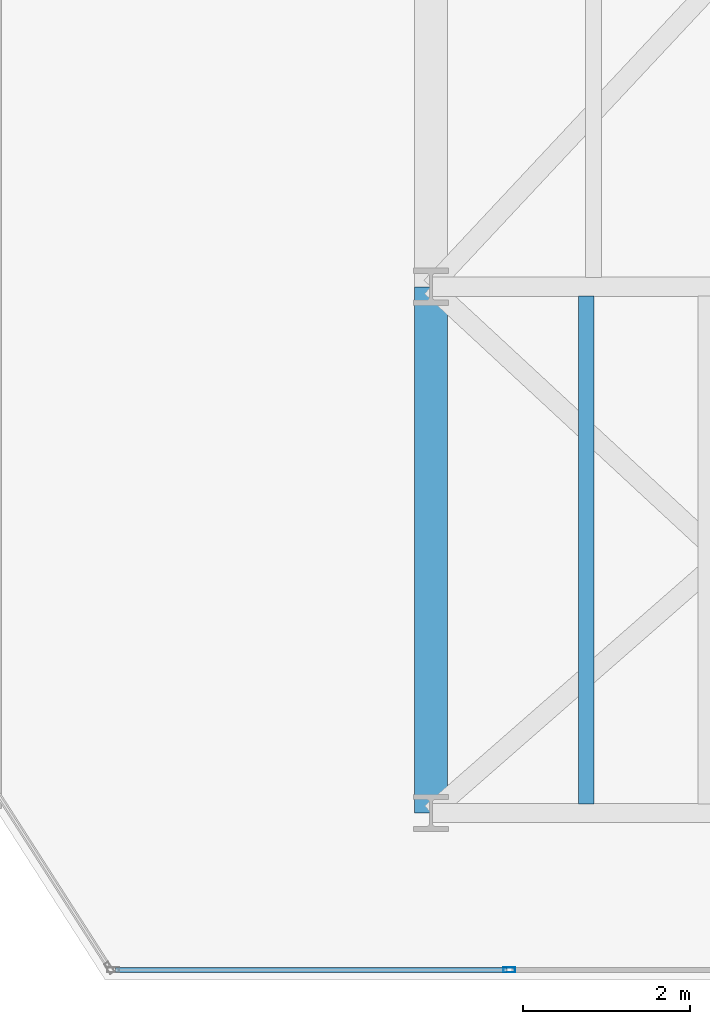
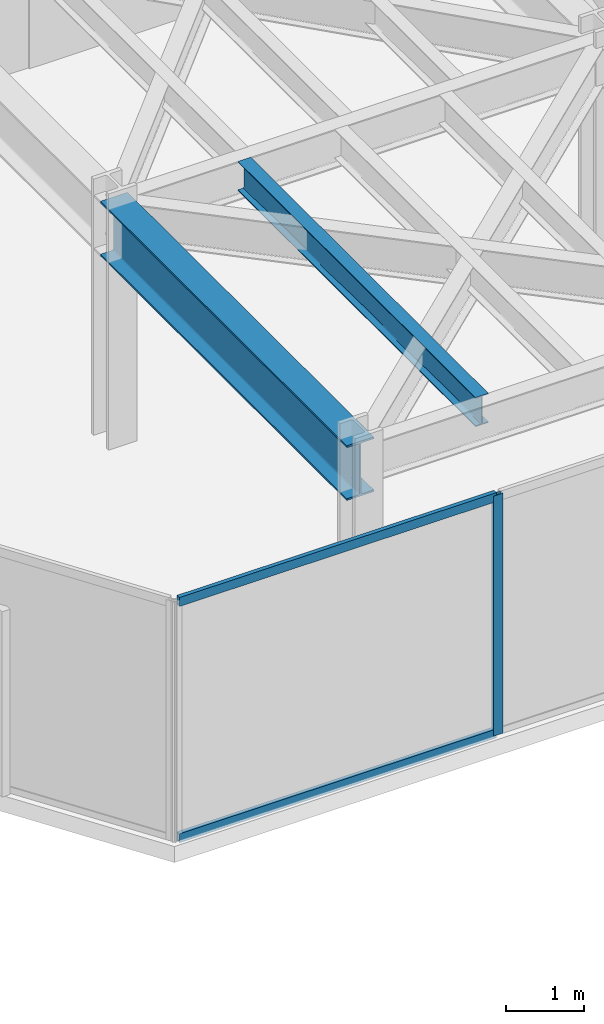
# One storey, part 16 of 26: 3 members, 2 beams, 1 element without a shape of its own.
"""IFC4 building model written with IfcOpenShell, lengths in metres."""

from ifc_helpers import new_model, si_unit, direction, frame, origin, origin_2d, place, context, subcontext, project, spatial, hollow_rectangle, i_section, extrude, material, layer, layer_set, material_profile, profile_set, type_object, element, aggregate, save


model = new_model("IFC4")

# Units and contexts
model_context = context("Model", 3, precision=1e-05, world=origin(), true_north=direction((0.0, 1.0)))
body_context = subcontext(model_context, "Body", "Model", "MODEL_VIEW")
ifc_project = project(units=[si_unit("LENGTHUNIT", "METRE"), si_unit("AREAUNIT", "SQUARE_METRE"), si_unit("VOLUMEUNIT", "CUBIC_METRE"), si_unit("PLANEANGLEUNIT", "RADIAN"), si_unit("MASSUNIT", "GRAM", prefix="KILO")], contexts=[model_context])

# Site, building, storey
site_placement = place(None, origin())
site = spatial("IfcSite", under=ifc_project, at=site_placement, CompositionType="ELEMENT")
building_placement = place(site_placement, origin())
building = spatial("IfcBuilding", under=site, at=building_placement, Name="Kravanh Interchange Tower", CompositionType="ELEMENT")
storey_placement = place(building_placement, frame((0.0, 0.0, 144.0)))
storey = spatial("IfcBuildingStorey", under=building, at=storey_placement, Name="L34", CompositionType="ELEMENT", Elevation=144.0)

# Curtain wall, members
ifc_material_1 = material(Name="Anodised Bronze Aluminium", Category="aluminium")
ifc_layer = layer(ifc_material_1, 0.179931640625)
ifc_layer_set = layer_set([ifc_layer], Name="Unitised Curtain Wall System CW-Z2 Mid Office")
curtain_wall_type = type_object("IfcCurtainWallType", Name="Unitised Curtain Wall System CW-Z2 Mid Office", PredefinedType="NOTDEFINED", material=ifc_layer_set)
curtain_wall_placement = place(storey_placement, origin())
curtain_wall = element("IfcCurtainWall", 1, at=curtain_wall_placement, inside=storey, type_object=curtain_wall_type, Name="L34 Unitised Curtain Wall CW-L34-03", PredefinedType="NOTDEFINED")
ifc_material_2 = material(Name="Anodised Bronze Aluminium", Category="aluminium")
ifc_material_profile_1 = material_profile(ifc_material_2, hollow_rectangle(XDim=0.06005859375, YDim=0.139892578125, WallThickness=0.00390625, at=origin_2d()), Name="ALU60X140X4")
ifc_profile_set_1 = profile_set([ifc_material_profile_1], Name="Anodised Bronze Aluminium")
member_type_1 = type_object("IfcMemberType", Name="Curtain Wall Mullion ALU60X140X4 Bronze", PredefinedType="MULLION", material=ifc_profile_set_1)
member_1_placement = place(storey_placement, frame((56.93798828125, 6.320068359375, 0.0), z_axis=(0.0, 0.0, 1.0), x_axis=(0.0, -1.0, 0.0)))
member_1 = element("IfcMember", 2, at=member_1_placement, type_object=member_type_1, Name="CW-Z2 mullion 2", PredefinedType="MULLION", context=body_context, shape_type="SweptSolid", body=[
    extrude(hollow_rectangle(XDim=0.06005859375, YDim=0.139892578125, WallThickness=0.00390625, at=origin_2d()), origin(), (0.0, 0.0, 1.0), 3.75),
])
ifc_material_3 = material(Name="Anodised Bronze Aluminium", Category="aluminium")
ifc_material_profile_2 = material_profile(ifc_material_3, hollow_rectangle(XDim=0.06005859375, YDim=0.139892578125, WallThickness=0.00390625, at=origin_2d()), Name="ALU60X140X4")
ifc_profile_set_2 = profile_set([ifc_material_profile_2], Name="Anodised Bronze Aluminium")
member_type_2 = type_object("IfcMemberType", Name="Curtain Wall Transom ALU60X140X4 Bronze", PredefinedType="USERDEFINED", material=ifc_profile_set_2)
member_2_placement = place(storey_placement, frame((56.907958984375, 6.320068359375, 0.030029296875), z_axis=(-1.0, 0.0, 0.0), x_axis=(0.0, -1.0, 0.0)))
member_2 = element("IfcMember", 3, at=member_2_placement, type_object=member_type_2, Name="CW-Z2 transom 2.1", ObjectType="TRANSOM", PredefinedType="USERDEFINED", context=body_context, shape_type="SweptSolid", body=[
    extrude(hollow_rectangle(XDim=0.06005859375, YDim=0.139892578125, WallThickness=0.00390625, at=origin_2d()), origin(), (0.0, 0.0, 1.0), 4.682373046875),
])
member_3_placement = place(storey_placement, frame((56.907958984375, 6.320068359375, 3.719970703125), z_axis=(-1.0, 0.0, 0.0), x_axis=(0.0, -1.0, 0.0)))
member_3 = element("IfcMember", 4, at=member_3_placement, type_object=member_type_2, Name="CW-Z2 transom 2.2", ObjectType="TRANSOM", PredefinedType="USERDEFINED", context=body_context, shape_type="SweptSolid", body=[
    extrude(hollow_rectangle(XDim=0.06005859375, YDim=0.139892578125, WallThickness=0.00390625, at=origin_2d()), origin(), (0.0, 0.0, 1.0), 4.682373046875),
])
aggregate(curtain_wall, [member_1, member_2, member_3])

# Beams
ifc_material_4 = material(Name="Structural Steel S355", Category="steel")
ifc_material_profile_3 = material_profile(ifc_material_4, i_section(OverallWidth=0.39990234375, OverallDepth=0.85595703125, WebThickness=0.018310546875, FlangeThickness=0.029296875, FilletRadius=0.02490234375, at=origin_2d()), Name="W33X201")
ifc_profile_set_3 = profile_set([ifc_material_profile_3], Name="Structural Steel S355")
beam_type_1 = type_object("IfcBeamType", Name="Floor Beam W33X201 Structural Steel S355", PredefinedType="BEAM", material=ifc_profile_set_3)
beam_1_placement = place(storey_placement, frame((56.0, 8.199951171875, 3.322021484375), z_axis=(0.0, 1.0, 0.0), x_axis=(-1.0, 0.0, 0.0)))
element("IfcBeam", 5, at=beam_1_placement, inside=storey, type_object=beam_type_1, Name="L34 Primary Floor Girder 95", PredefinedType="BEAM", context=body_context, shape_type="SweptSolid", body=[
    extrude(i_section(OverallWidth=0.39990234375, OverallDepth=0.85595703125, WebThickness=0.018310546875, FlangeThickness=0.029296875, FilletRadius=0.02490234375, at=origin_2d()), origin(), (0.0, 0.0, 1.0), 6.300048828125),
])
ifc_material_5 = material(Name="Structural Steel S355", Category="steel")
ifc_material_profile_4 = material_profile(ifc_material_5, i_section(OverallWidth=0.18994140625, OverallDepth=0.45703125, WebThickness=0.009033203125, FlangeThickness=0.014404296875, FilletRadius=0.01806640625, at=origin_2d()), Name="W18X50")
ifc_profile_set_4 = profile_set([ifc_material_profile_4], Name="Structural Steel S355")
beam_type_2 = type_object("IfcBeamType", Name="Floor Joist W18X50 Structural Steel S355", PredefinedType="JOIST", material=ifc_profile_set_4)
beam_2_placement = place(storey_placement, frame((57.860107421875, 8.30908203125, 3.521484375), z_axis=(0.0, 1.0, 0.0), x_axis=(-1.0, 0.0, 0.0)))
element("IfcBeam", 6, at=beam_2_placement, inside=storey, type_object=beam_type_2, Name="L34 Secondary Floor Joist 4", PredefinedType="JOIST", context=body_context, shape_type="SweptSolid", body=[
    extrude(i_section(OverallWidth=0.18994140625, OverallDepth=0.45703125, WebThickness=0.009033203125, FlangeThickness=0.014404296875, FilletRadius=0.01806640625, at=origin_2d()), origin(), (0.0, 0.0, 1.0), 6.08203125),
])

save(model, "model.ifc")
